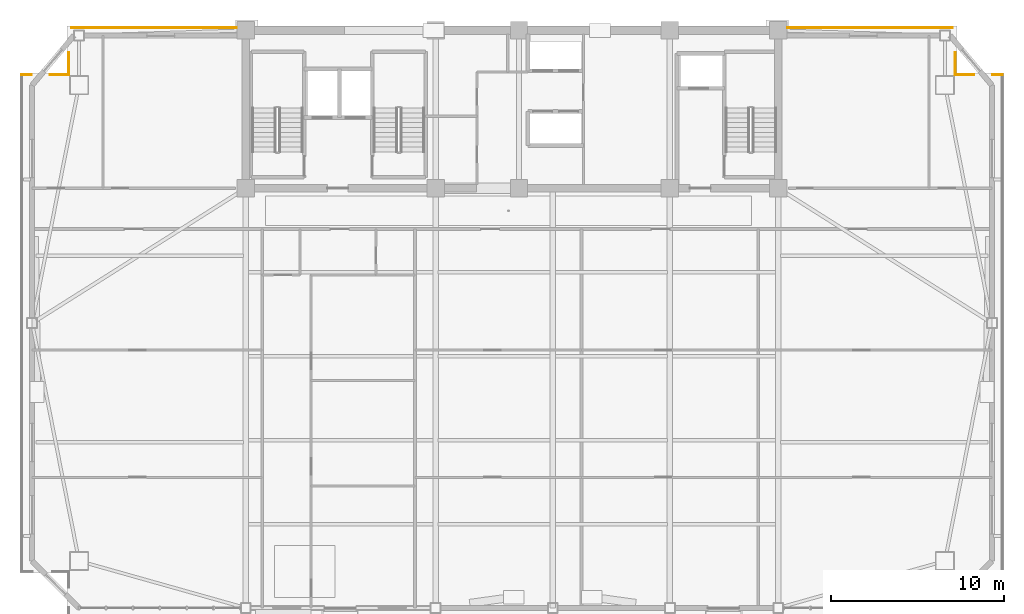
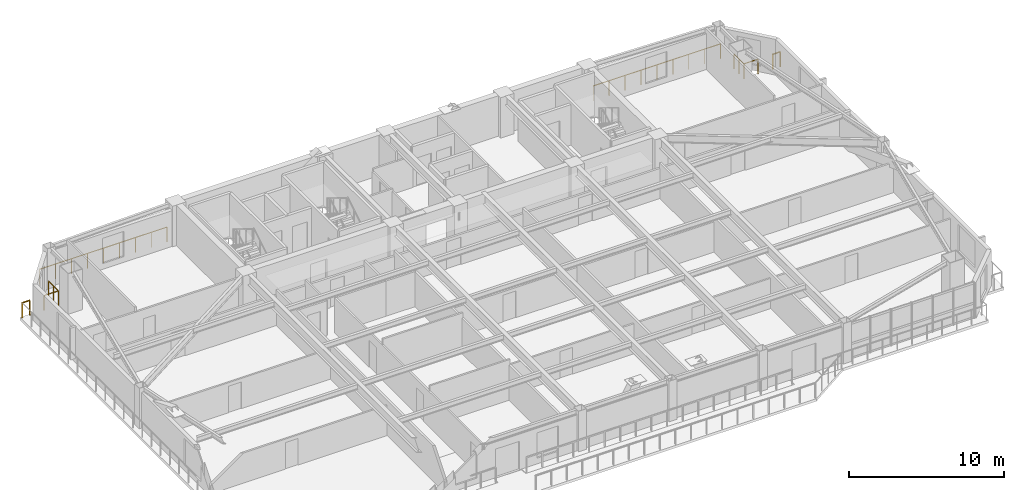
# One storey, part 16 of 16: 8 railings.
"""IFC4 building model written with IfcOpenShell, lengths in metres."""

import ifcopenshell
import ifcopenshell.guid

model = None  # the IFC model being written
_history = None  # IfcOwnerHistory: only IFC2X3 demands one
_inside = {}  # id of a spatial element -> (the spatial element, [elements in it])
_under = {}  # id of a project, library or spatial element -> (it, [spatial elements below it])
_declared = {}  # id of a project -> (the project, [libraries it declares])
_typed = {}  # id of a type object -> (the type object, [elements of that type])
_made_of = {}  # id of a material, layer set ... -> (it, [elements and type objects made of it])


def new_model(schema):
    """Start an empty IFC model of exactly this schema.

    Asked for "IFC4X3", IfcOpenShell would pick the latest addendum, in which some entities
    have other attributes; the version numbers below select the first issue.
    IFC2X3 requires an IfcOwnerHistory on every rooted entity: one is made here for all.
    """
    global model, _history
    if schema == "IFC4X3":
        model = ifcopenshell.file(schema_version=(4, 3, 0, 0))
    else:
        model = ifcopenshell.file(schema=schema)
    _inside.clear()
    _under.clear()
    _declared.clear()
    _typed.clear()
    _made_of.clear()
    _history = None
    if model.schema == "IFC2X3":
        org = make("IfcOrganization", Name="unknown")
        user = make(
            "IfcPersonAndOrganization",
            ThePerson=make("IfcPerson", FamilyName="unknown"),
            TheOrganization=org,
        )
        app = make(
            "IfcApplication",
            ApplicationDeveloper=org,
            Version="unknown",
            ApplicationFullName="unknown",
            ApplicationIdentifier="unknown",
        )
        _history = make(
            "IfcOwnerHistory",
            OwningUser=user,
            OwningApplication=app,
            ChangeAction="ADDED",
            CreationDate=0,
        )
    return model


def make(cls, **values):
    """One entity of the class cls with the attributes given. An attribute that is None is left unset."""
    return model.create_entity(
        cls, **{name: value for name, value in values.items() if value is not None}
    )


def rooted(cls, **values):
    """An entity with a GlobalId (a new one), such as an element, a storey or a relation."""
    return make(cls, GlobalId=ifcopenshell.guid.new(), OwnerHistory=_history, **values)


def si_unit(unit_type, name, prefix=None):
    """IfcSIUnit, for example si_unit("LENGTHUNIT", "METRE", prefix="MILLI")."""
    return make("IfcSIUnit", UnitType=unit_type, Prefix=prefix, Name=name)


def assignment(units):
    """IfcUnitAssignment: the units of a project."""
    return None if units is None else make("IfcUnitAssignment", Units=units)


def point(xyz):
    """IfcCartesianPoint."""
    return None if xyz is None else make("IfcCartesianPoint", Coordinates=xyz)


def direction(xyz):
    """IfcDirection."""
    return None if xyz is None else make("IfcDirection", DirectionRatios=xyz)


def frame(location, z_axis=None, x_axis=None):
    """IfcAxis2Placement3D, a coordinate frame: its origin and axes. An axis left out is left unset."""
    return make(
        "IfcAxis2Placement3D",
        Location=point(location),
        Axis=direction(z_axis),
        RefDirection=direction(x_axis),
    )


def frame_2d(location, x_axis=None):
    """IfcAxis2Placement2D, a coordinate frame in the plane: its origin and x axis."""
    return make(
        "IfcAxis2Placement2D", Location=point(location), RefDirection=direction(x_axis)
    )


def origin():
    """The frame at (0, 0, 0) with its axes left unset."""
    return frame((0.0, 0.0, 0.0))


def origin_2d():
    """The frame at (0, 0) in the plane with its x axis left unset."""
    return frame_2d((0.0, 0.0))


def place(relative_to, where):
    """IfcLocalPlacement: puts the frame where relative to a parent placement (None: the world)."""
    return make(
        "IfcLocalPlacement", PlacementRelTo=relative_to, RelativePlacement=where
    )


def context(
    kind, dimensions, precision=None, world=None, true_north=None, identifier=None
):
    """IfcGeometricRepresentationContext, for example the 3D "Model" context."""
    return make(
        "IfcGeometricRepresentationContext",
        ContextIdentifier=identifier,
        ContextType=kind,
        CoordinateSpaceDimension=dimensions,
        Precision=precision,
        WorldCoordinateSystem=world,
        TrueNorth=true_north,
    )


def subcontext(parent, identifier, kind, view, scale=None):
    """IfcGeometricRepresentationSubContext, for example "Body" below "Model"."""
    return make(
        "IfcGeometricRepresentationSubContext",
        ContextIdentifier=identifier,
        ContextType=kind,
        ParentContext=parent,
        TargetScale=scale,
        TargetView=view,
    )


def project(units=None, contexts=None):
    """IfcProject with its units and contexts."""
    return rooted(
        "IfcProject",
        Name="project",
        RepresentationContexts=contexts,
        UnitsInContext=assignment(units),
    )


def spatial(cls, under=None, at=None, **own):
    """A site, building, storey or space (cls), placed at a placement, below another one or the project."""
    s = rooted(cls, ObjectPlacement=at, **own)
    if under is not None:
        _under.setdefault(under.id(), (under, []))[1].append(s)
    return s


def profile(cls, at=None, kind="AREA", **sizes):
    """A parametric profile (cls). Its sizes go by their IFC names, for example OverallWidth=200.0."""
    return make(cls, ProfileType=kind, Position=at, **sizes)


def rectangle(**sizes):
    """IfcRectangleProfileDef."""
    return profile("IfcRectangleProfileDef", **sizes)


def extrude(swept, where, along, depth):
    """IfcExtrudedAreaSolid: the profile swept, set in the frame where, extruded along a direction by depth."""
    return make(
        "IfcExtrudedAreaSolid",
        SweptArea=swept,
        Position=where,
        ExtrudedDirection=direction(along),
        Depth=depth,
    )


def shape(context_of_items, identifier, shape_type, items):
    """IfcShapeRepresentation: the items that make up one representation, for example the "Body"."""
    return make(
        "IfcShapeRepresentation",
        ContextOfItems=context_of_items,
        RepresentationIdentifier=identifier,
        RepresentationType=shape_type,
        Items=items,
    )


def material(Name=None, Category=None):
    """IfcMaterial."""
    return make("IfcMaterial", Name=Name, Category=Category)


def made_of(thing, what):
    """Note that an element or type object is made of a material, layer set ...; save() writes the relation."""
    if what is not None:
        _made_of.setdefault(what.id(), (what, []))[1].append(thing)
    return thing


def type_object(cls, material=None, **own):
    """A type object (cls), such as IfcWallType, which elements share."""
    return made_of(rooted(cls, **own), material)


def element(
    cls,
    number,
    at=None,
    inside=None,
    cuts=None,
    type_object=None,
    material=None,
    context=None,
    identifier="Body",
    shape_type=None,
    held_by="IfcProductDefinitionShape",
    body=None,
    shapes=None,
    **own,
):
    """One element of the class cls, such as IfcWall. Its Tag is "e" and its number.

    at: its placement. inside: the storey or other place that contains it. cuts: it is an
    opening in that element (IfcRelVoidsElement). A single representation is given by context,
    identifier, shape_type and body (its items); several are given by shapes. held_by: the class
    of the entity that holds the representations. save() writes the other relations.
    """
    e = rooted(cls, Tag="e%d" % number, ObjectPlacement=at, **own)
    if body is not None:
        shapes = [shape(context, identifier, shape_type, body)]
    if shapes is not None:
        e.Representation = make(held_by, Representations=shapes)
    if inside is not None:
        _inside.setdefault(inside.id(), (inside, []))[1].append(e)
    if cuts is not None:
        rooted(
            "IfcRelVoidsElement", RelatingBuildingElement=cuts, RelatedOpeningElement=e
        )
    if type_object is not None:
        _typed.setdefault(type_object.id(), (type_object, []))[1].append(e)
    return made_of(e, material)


def aggregate(whole, parts):
    """IfcRelAggregates: a whole, such as a stair, and the parts it consists of."""
    return rooted("IfcRelAggregates", RelatingObject=whole, RelatedObjects=parts)


def save(model, path):
    """Write the relations noted so far, then the file.

    IfcRelAggregates (storeys below a building ...), IfcRelContainedInSpatialStructure (elements
    in a storey), IfcRelDefinesByType, IfcRelAssociatesMaterial and IfcRelDeclares: one each for
    every whole, place, type object, material and project.
    """
    for whole, parts in _under.values():
        aggregate(whole, parts)
    for where, things in _inside.values():
        rooted(
            "IfcRelContainedInSpatialStructure",
            RelatedElements=things,
            RelatingStructure=where,
        )
    for kind, things in _typed.values():
        rooted("IfcRelDefinesByType", RelatedObjects=things, RelatingType=kind)
    for what, things in _made_of.values():
        rooted("IfcRelAssociatesMaterial", RelatedObjects=things, RelatingMaterial=what)
    for by, libraries in _declared.values():
        rooted("IfcRelDeclares", RelatingContext=by, RelatedDefinitions=libraries)
    model.write(path)


model = new_model("IFC4")

# Units and contexts
model_context = context("Model", 3, precision=1e-05, world=origin(), true_north=direction((0.0, 1.0)))
body_context = subcontext(model_context, "Body", "Model", "MODEL_VIEW")
ifc_project = project(units=[si_unit("LENGTHUNIT", "METRE"), si_unit("AREAUNIT", "SQUARE_METRE"), si_unit("VOLUMEUNIT", "CUBIC_METRE"), si_unit("PLANEANGLEUNIT", "RADIAN"), si_unit("MASSUNIT", "GRAM", prefix="KILO")], contexts=[model_context])

# Site, building, storey
site_placement = place(None, origin())
site = spatial("IfcSite", under=ifc_project, at=site_placement, CompositionType="ELEMENT")
building_placement = place(site_placement, origin())
building = spatial("IfcBuilding", under=site, at=building_placement, Name="Giltprow Tower", CompositionType="ELEMENT")
storey_placement = place(building_placement, frame((0.0, 0.0, 230.39990234375)))
storey = spatial("IfcBuildingStorey", under=building, at=storey_placement, Name="L58", CompositionType="ELEMENT", Elevation=230.39990234375)

# Railings
ifc_material = material(Name="Anodized bronze", Category="metal")
railing_type = type_object("IfcRailingType", Name="RAIL-BALC-GUARD-1200", PredefinedType="BALUSTRADE", material=ifc_material)
railing_1_placement = place(storey_placement, frame((6.93310546875, 43.992919921875, 0.0)))
element("IfcRailing", 1, at=railing_1_placement, inside=storey, type_object=railing_type, Name="L58 Corner Apron Edge Balustrade 14", PredefinedType="BALUSTRADE", context=body_context, shape_type="SweptSolid", body=[
    extrude(rectangle(XDim=0.048095703125, YDim=0.048095703125, at=origin_2d()), frame((0.0, 0.0, 1.17578125), z_axis=(1.0, 0.0, 0.0), x_axis=(0.0, 1.0, 0.0)), (0.0, 0.0, 1.0), 0.56884765625),
    extrude(rectangle(XDim=0.0419921875, YDim=0.0419921875, at=origin_2d()), origin(), (0.0, 0.0, 1.0), 1.15185546875),
    extrude(rectangle(XDim=0.0419921875, YDim=0.0419921875, at=origin_2d()), frame((0.56884765625, 0.0, 0.0)), (0.0, 0.0, 1.0), 1.15185546875),
])
railing_2_placement = place(storey_placement, frame((8.574951171875, 43.992919921875, 0.0)))
element("IfcRailing", 2, at=railing_2_placement, inside=storey, type_object=railing_type, Name="L58 Corner Apron Edge Balustrade 15", PredefinedType="BALUSTRADE", context=body_context, shape_type="SweptSolid", body=[
    extrude(rectangle(XDim=0.048095703125, YDim=0.048095703125, at=origin_2d()), frame((0.0, 0.0, 1.17578125), z_axis=(1.0, 0.0, 0.0), x_axis=(0.0, 1.0, 0.0)), (0.0, 0.0, 1.0), 1.06494140625),
    extrude(rectangle(XDim=0.0419921875, YDim=0.0419921875, at=origin_2d()), origin(), (0.0, 0.0, 1.0), 1.15185546875),
    extrude(rectangle(XDim=0.0419921875, YDim=0.0419921875, at=origin_2d()), frame((1.06494140625, 0.0, 0.0)), (0.0, 0.0, 1.0), 1.15185546875),
])
railing_3_placement = place(storey_placement, frame((9.639892578125, 43.992919921875, 0.0)))
element("IfcRailing", 3, at=railing_3_placement, inside=storey, type_object=railing_type, Name="L58 Corner Apron Edge Balustrade 16", PredefinedType="BALUSTRADE", context=body_context, shape_type="SweptSolid", body=[
    extrude(rectangle(XDim=0.048095703125, YDim=0.048095703125, at=origin_2d()), frame((0.0, 0.0, 1.17578125), z_axis=(0.0, 1.0, 0.0), x_axis=(-1.0, 0.0, 0.0)), (0.0, 0.0, 1.0), 1.26513671875),
    extrude(rectangle(XDim=0.0419921875, YDim=0.0419921875, at=origin_2d()), origin(), (0.0, 0.0, 1.0), 1.15185546875),
    extrude(rectangle(XDim=0.0419921875, YDim=0.0419921875, at=origin_2d()), frame((0.0, 0.632568359375, 0.0)), (0.0, 0.0, 1.0), 1.15185546875),
    extrude(rectangle(XDim=0.0419921875, YDim=0.0419921875, at=origin_2d()), frame((0.0, 1.26513671875, 0.0)), (0.0, 0.0, 1.0), 1.15185546875),
])
railing_4_placement = place(storey_placement, frame((9.80908203125, 46.699951171875, 0.0)))
element("IfcRailing", 4, at=railing_4_placement, inside=storey, type_object=railing_type, Name="L58 Corner Apron Edge Balustrade 17", PredefinedType="BALUSTRADE", context=body_context, shape_type="SweptSolid", body=[
    extrude(rectangle(XDim=0.048095703125, YDim=0.048095703125, at=origin_2d()), frame((0.0, 0.0, 1.17578125), z_axis=(1.0, 0.0, 0.0), x_axis=(0.0, 1.0, 0.0)), (0.0, 0.0, 1.0), 9.505859375),
    extrude(rectangle(XDim=0.0419921875, YDim=0.0419921875, at=origin_2d()), origin(), (0.0, 0.0, 1.0), 1.15185546875),
    extrude(rectangle(XDim=0.0419921875, YDim=0.0419921875, at=origin_2d()), frame((1.188232421875, 0.0, 0.0)), (0.0, 0.0, 1.0), 1.15185546875),
    extrude(rectangle(XDim=0.0419921875, YDim=0.0419921875, at=origin_2d()), frame((2.37646484375, 0.0, 0.0)), (0.0, 0.0, 1.0), 1.15185546875),
    extrude(rectangle(XDim=0.0419921875, YDim=0.0419921875, at=origin_2d()), frame((3.564697265625, 0.0, 0.0)), (0.0, 0.0, 1.0), 1.15185546875),
    extrude(rectangle(XDim=0.0419921875, YDim=0.0419921875, at=origin_2d()), frame((4.7529296875, 0.0, 0.0)), (0.0, 0.0, 1.0), 1.15185546875),
    extrude(rectangle(XDim=0.0419921875, YDim=0.0419921875, at=origin_2d()), frame((5.941162109375, 0.0, 0.0)), (0.0, 0.0, 1.0), 1.15185546875),
    extrude(rectangle(XDim=0.0419921875, YDim=0.0419921875, at=origin_2d()), frame((7.12939453125, 0.0, 0.0)), (0.0, 0.0, 1.0), 1.15185546875),
    extrude(rectangle(XDim=0.0419921875, YDim=0.0419921875, at=origin_2d()), frame((8.317626953125, 0.0, 0.0)), (0.0, 0.0, 1.0), 1.15185546875),
    extrude(rectangle(XDim=0.0419921875, YDim=0.0419921875, at=origin_2d()), frame((9.505859375, 0.0, 0.0)), (0.0, 0.0, 1.0), 1.15185546875),
])
railing_5_placement = place(storey_placement, frame((51.0849609375, 46.699951171875, 0.0)))
element("IfcRailing", 5, at=railing_5_placement, inside=storey, type_object=railing_type, Name="L58 Corner Apron Edge Balustrade 18", PredefinedType="BALUSTRADE", context=body_context, shape_type="SweptSolid", body=[
    extrude(rectangle(XDim=0.048095703125, YDim=0.048095703125, at=origin_2d()), frame((0.0, 0.0, 1.17578125), z_axis=(1.0, 0.0, 0.0), x_axis=(0.0, 1.0, 0.0)), (0.0, 0.0, 1.0), 9.506103515625),
    extrude(rectangle(XDim=0.0419921875, YDim=0.0419921875, at=origin_2d()), origin(), (0.0, 0.0, 1.0), 1.15185546875),
    extrude(rectangle(XDim=0.0419921875, YDim=0.0419921875, at=origin_2d()), frame((1.188232421875, 0.0, 0.0)), (0.0, 0.0, 1.0), 1.15185546875),
    extrude(rectangle(XDim=0.0419921875, YDim=0.0419921875, at=origin_2d()), frame((2.37646484375, 0.0, 0.0)), (0.0, 0.0, 1.0), 1.15185546875),
    extrude(rectangle(XDim=0.0419921875, YDim=0.0419921875, at=origin_2d()), frame((3.564697265625, 0.0, 0.0)), (0.0, 0.0, 1.0), 1.15185546875),
    extrude(rectangle(XDim=0.0419921875, YDim=0.0419921875, at=origin_2d()), frame((4.7529296875, 0.0, 0.0)), (0.0, 0.0, 1.0), 1.15185546875),
    extrude(rectangle(XDim=0.0419921875, YDim=0.0419921875, at=origin_2d()), frame((5.94140625, 0.0, 0.0)), (0.0, 0.0, 1.0), 1.15185546875),
    extrude(rectangle(XDim=0.0419921875, YDim=0.0419921875, at=origin_2d()), frame((7.129638671875, 0.0, 0.0)), (0.0, 0.0, 1.0), 1.15185546875),
    extrude(rectangle(XDim=0.0419921875, YDim=0.0419921875, at=origin_2d()), frame((8.31787109375, 0.0, 0.0)), (0.0, 0.0, 1.0), 1.15185546875),
    extrude(rectangle(XDim=0.0419921875, YDim=0.0419921875, at=origin_2d()), frame((9.506103515625, 0.0, 0.0)), (0.0, 0.0, 1.0), 1.15185546875),
])
railing_6_placement = place(storey_placement, frame((60.760009765625, 45.258056640625, 0.0)))
element("IfcRailing", 6, at=railing_6_placement, inside=storey, type_object=railing_type, Name="L58 Corner Apron Edge Balustrade 19", PredefinedType="BALUSTRADE", context=body_context, shape_type="SweptSolid", body=[
    extrude(rectangle(XDim=0.048095703125, YDim=0.048095703125, at=origin_2d()), frame((0.0, 0.0, 1.17578125), z_axis=(0.0, -1.0, 0.0), x_axis=(1.0, 0.0, 0.0)), (0.0, 0.0, 1.0), 1.26513671875),
    extrude(rectangle(XDim=0.0419921875, YDim=0.0419921875, at=origin_2d()), origin(), (0.0, 0.0, 1.0), 1.15185546875),
    extrude(rectangle(XDim=0.0419921875, YDim=0.0419921875, at=origin_2d()), frame((0.0, -0.632568359375, 0.0)), (0.0, 0.0, 1.0), 1.15185546875),
    extrude(rectangle(XDim=0.0419921875, YDim=0.0419921875, at=origin_2d()), frame((0.0, -1.26513671875, 0.0)), (0.0, 0.0, 1.0), 1.15185546875),
])
railing_7_placement = place(storey_placement, frame((60.760009765625, 43.992919921875, 0.0)))
element("IfcRailing", 7, at=railing_7_placement, inside=storey, type_object=railing_type, Name="L58 Corner Apron Edge Balustrade 20", PredefinedType="BALUSTRADE", context=body_context, shape_type="SweptSolid", body=[
    extrude(rectangle(XDim=0.048095703125, YDim=0.048095703125, at=origin_2d()), frame((0.0, 0.0, 1.17578125), z_axis=(1.0, 0.0, 0.0), x_axis=(0.0, 1.0, 0.0)), (0.0, 0.0, 1.0), 1.06494140625),
    extrude(rectangle(XDim=0.0419921875, YDim=0.0419921875, at=origin_2d()), origin(), (0.0, 0.0, 1.0), 1.15185546875),
    extrude(rectangle(XDim=0.0419921875, YDim=0.0419921875, at=origin_2d()), frame((1.06494140625, 0.0, 0.0)), (0.0, 0.0, 1.0), 1.15185546875),
])
railing_8_placement = place(storey_placement, frame((62.89794921875, 43.992919921875, 0.0)))
element("IfcRailing", 8, at=railing_8_placement, inside=storey, type_object=railing_type, Name="L58 Corner Apron Edge Balustrade 21", PredefinedType="BALUSTRADE", context=body_context, shape_type="SweptSolid", body=[
    extrude(rectangle(XDim=0.048095703125, YDim=0.048095703125, at=origin_2d()), frame((0.0, 0.0, 1.17578125), z_axis=(1.0, 0.0, 0.0), x_axis=(0.0, 1.0, 0.0)), (0.0, 0.0, 1.0), 0.569091796875),
    extrude(rectangle(XDim=0.0419921875, YDim=0.0419921875, at=origin_2d()), origin(), (0.0, 0.0, 1.0), 1.15185546875),
    extrude(rectangle(XDim=0.0419921875, YDim=0.0419921875, at=origin_2d()), frame((0.569091796875, 0.0, 0.0)), (0.0, 0.0, 1.0), 1.15185546875),
])

save(model, "model.ifc")
